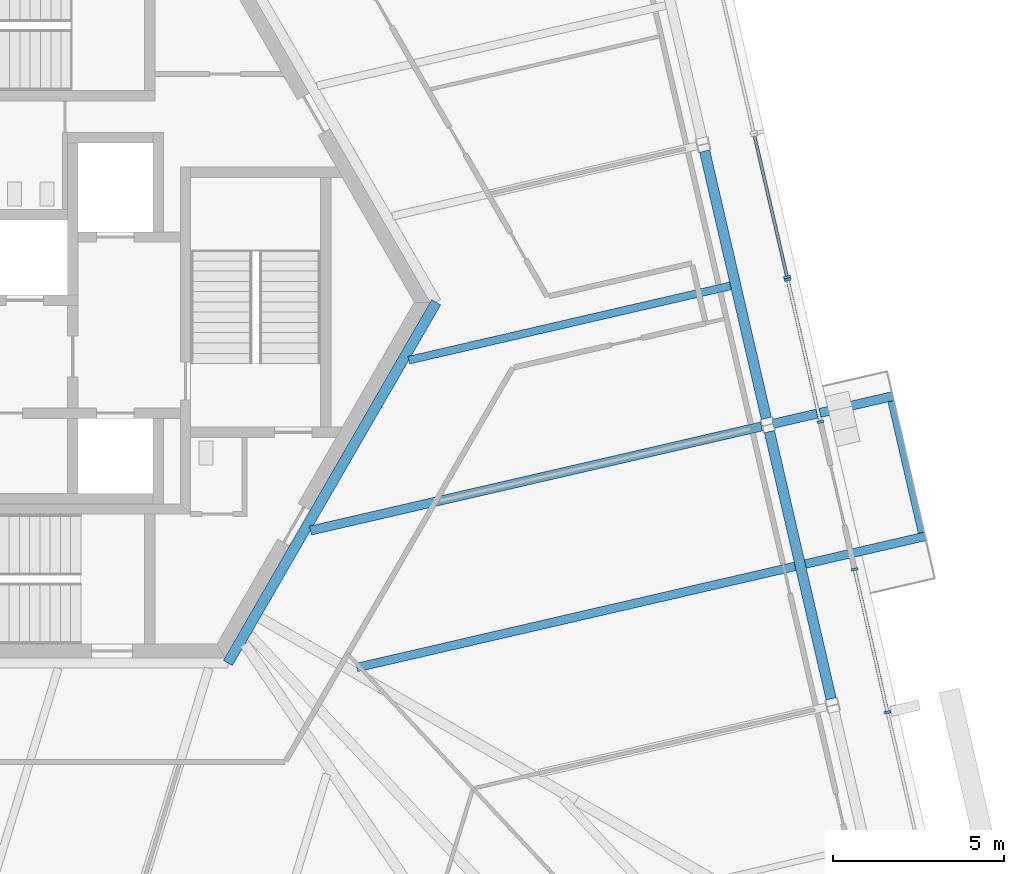
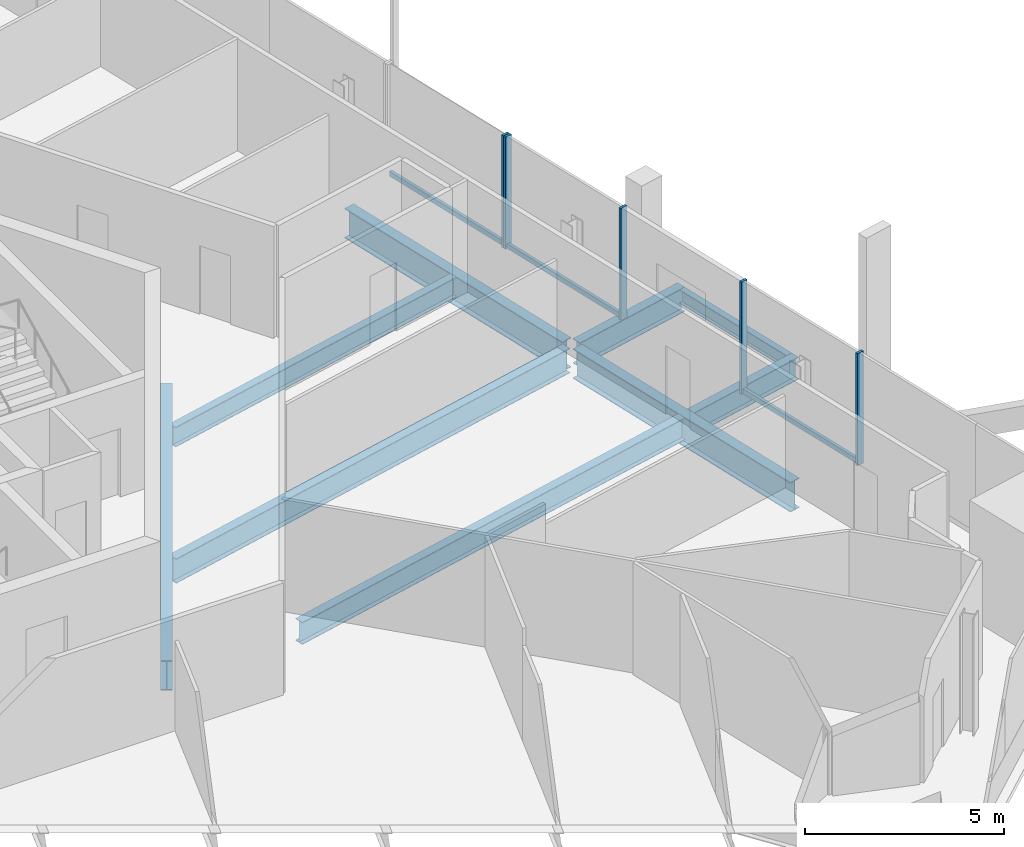
# One storey, part 7 of 24: 9 beams, 8 members, 3 elements without a shape of their own.
"""IFC4 building model written with IfcOpenShell, lengths in metres."""

from ifc_helpers import new_model, si_unit, direction, frame, origin, origin_2d, place, context, subcontext, project, spatial, rectangle, i_section, extrude, source, transform, mapped, material, material_profile, profile_set, type_object, element, aggregate, save


model = new_model("IFC4")

# Units and contexts
model_context = context("Model", 3, precision=1e-05, world=origin(), true_north=direction((0.0, 1.0)))
body_context = subcontext(model_context, "Body", "Model", "MODEL_VIEW")
ifc_project = project(units=[si_unit("LENGTHUNIT", "METRE"), si_unit("AREAUNIT", "SQUARE_METRE"), si_unit("VOLUMEUNIT", "CUBIC_METRE"), si_unit("PLANEANGLEUNIT", "RADIAN"), si_unit("MASSUNIT", "GRAM", prefix="KILO")], contexts=[model_context])

# Site, building, storey
site_placement = place(None, origin())
site = spatial("IfcSite", under=ifc_project, at=site_placement, CompositionType="ELEMENT")
building_placement = place(site_placement, origin())
building = spatial("IfcBuilding", under=site, at=building_placement, Name="Triune Harvest Tower", CompositionType="ELEMENT")
storey_placement = place(building_placement, frame((0.0, 0.0, 127.10009765625)))
storey = spatial("IfcBuildingStorey", under=building, at=storey_placement, Name="L32", CompositionType="ELEMENT", Elevation=127.10009765625)

# Beam
ifc_material_1 = material(Name="Steel ASTM A992 Gr 50", Category="steel")
ifc_material_profile_1 = material_profile(ifc_material_1, i_section(OverallWidth=0.180908203125, OverallDepth=0.41650390625, WebThickness=0.010986328125, FlangeThickness=0.01806640625, at=origin_2d()), Name="W16x57")
ifc_profile_set_1 = profile_set([ifc_material_profile_1], Name="Steel ASTM A992 Gr 50")
beam_type_1 = type_object("IfcBeamType", Name="BE-1 balcony edge beam W16x57", PredefinedType="BEAM", material=ifc_profile_set_1)
beam_1_placement = place(storey_placement, frame((25.468505859375, -2.892822265625, -0.368408203125), z_axis=(0.224972445605, -0.974365125976, 0.0), x_axis=(0.974365125976, 0.224972445605, 0.0)))
element("IfcBeam", 1, at=beam_1_placement, inside=storey, type_object=beam_type_1, Name="Balcony edge beam B3-F1 L32.4", PredefinedType="BEAM", context=body_context, shape_type="SweptSolid", body=[
    extrude(i_section(OverallWidth=0.180908203125, OverallDepth=0.41650390625, WebThickness=0.010986328125, FlangeThickness=0.01806640625, at=origin_2d()), origin(), (0.0, 0.0, 1.0), 3.94677734375),
])

# Curtain wall, member
ifc_material_2 = material(Name="Aluminium bronze anodised", Category="aluminium")
curtain_wall_type_1 = type_object("IfcCurtainWallType", Name="CW-10 Balcony window wall with insulated spandrel infill", PredefinedType="NOTDEFINED", material=ifc_material_2)
curtain_wall_1_placement = place(storey_placement, origin())
curtain_wall_1 = element("IfcCurtainWall", 2, at=curtain_wall_1_placement, inside=storey, type_object=curtain_wall_type_1, Name="CW-10 B3-F1 L32 run 2")
ifc_material_3 = material(Name="Aluminium bronze anodised", Category="aluminium")
ifc_material_profile_2 = material_profile(ifc_material_3, rectangle(XDim=0.090087890625, YDim=0.14990234375, at=origin_2d()), Name="TR-6 transom 90 x 150")
ifc_profile_set_2 = profile_set([ifc_material_profile_2], Name="Aluminium bronze anodised")
member_type_1 = type_object("IfcMemberType", Name="TR-6 transom 90 x 150", PredefinedType="USERDEFINED", material=ifc_profile_set_2)
member_1_placement = place(storey_placement, frame((23.4013671875, -3.4560546875, 0.074951171875), z_axis=(-0.224927563298, 0.974375487822, 0.0), x_axis=(-0.974375487822, -0.224927563298, 0.0)))
member_1 = element("IfcMember", 3, at=member_1_placement, type_object=member_type_1, Name="CW-10 transom B3-F1 2.1", ObjectType="TRANSOM", PredefinedType="USERDEFINED", context=body_context, shape_type="SweptSolid", body=[
    extrude(rectangle(XDim=0.090087890625, YDim=0.14990234375, at=origin_2d()), origin(), (0.0, 0.0, 1.0), 4.19189453125),
])

# Beams
ifc_material_4 = material(Name="Steel ASTM A992 Gr 50", Category="steel")
ifc_material_profile_3 = material_profile(ifc_material_4, i_section(OverallWidth=0.3046875, OverallDepth=0.914306640625, WebThickness=0.0166015625, FlangeThickness=0.02587890625, at=origin_2d()), Name="W36x160")
ifc_profile_set_3 = profile_set([ifc_material_profile_3], Name="Steel ASTM A992 Gr 50")
beam_type_2 = type_object("IfcBeamType", Name="CG-1 Core ring girder W36x160", PredefinedType="BEAM", material=ifc_profile_set_3)
shared_shape_1 = source(origin(), body_context, "Body", "SweptSolid", [
    extrude(i_section(OverallWidth=0.3046875, OverallDepth=0.914306640625, WebThickness=0.0166015625, FlangeThickness=0.02587890625, at=origin_2d()), origin(), (0.0, 0.0, 1.0), 12.176025390625),
])
beam_2_placement = place(storey_placement, frame((6.087890625, -10.544677734375, -0.6171875), z_axis=(0.5000099932, 0.866019634131, 0.0), x_axis=(-0.866019634131, 0.5000099932, 0.0)))
element("IfcBeam", 4, at=beam_2_placement, inside=storey, type_object=beam_type_2, Name="beam/L32/CG6", PredefinedType="BEAM", context=body_context, shape_type="MappedRepresentation", body=[
    mapped(shared_shape_1, transform((0.0, 0.0, 0.0), scale=1.0)),
])
ifc_material_5 = material(Name="Steel ASTM A992 Gr 50", Category="steel")
ifc_material_profile_4 = material_profile(ifc_material_5, i_section(OverallWidth=0.3046875, OverallDepth=0.914306640625, WebThickness=0.0166015625, FlangeThickness=0.02587890625, at=origin_2d()), Name="W36x160")
ifc_profile_set_4 = profile_set([ifc_material_profile_4], Name="Steel ASTM A992 Gr 50")
beam_type_3 = type_object("IfcBeamType", Name="SB-1 Spandrel beam W36x160", PredefinedType="SPANDREL", material=ifc_profile_set_4)
shared_shape_2 = source(origin(), body_context, "Body", "SweptSolid", [
    extrude(i_section(OverallWidth=0.3046875, OverallDepth=0.914306640625, WebThickness=0.0166015625, FlangeThickness=0.02587890625, at=origin_2d()), origin(), (0.0, 0.0, 1.0), 8.018310546875),
])
beam_3_placement = place(storey_placement, frame((23.72119140625, -11.591796875, -0.6171875), z_axis=(-0.224950679005, 0.974370151439, 0.0), x_axis=(-0.974370151439, -0.224950679005, 0.0)))
element("IfcBeam", 5, at=beam_3_placement, inside=storey, type_object=beam_type_3, Name="beam/L32/SB2", PredefinedType="SPANDREL", context=body_context, shape_type="MappedRepresentation", body=[
    mapped(shared_shape_2, transform((0.0, 0.0, 0.0), scale=1.0)),
])
shared_shape_3 = source(origin(), body_context, "Body", "SweptSolid", [
    extrude(i_section(OverallWidth=0.3046875, OverallDepth=0.914306640625, WebThickness=0.0166015625, FlangeThickness=0.02587890625, at=origin_2d()), origin(), (0.0, 0.0, 1.0), 8.0185546875),
])
beam_4_placement = place(storey_placement, frame((21.828369140625, -3.39306640625, -0.6171875), z_axis=(-0.22494400542, 0.974371692131, 0.0), x_axis=(-0.974371692131, -0.22494400542, 0.0)))
element("IfcBeam", 6, at=beam_4_placement, inside=storey, type_object=beam_type_3, Name="beam/L32/SB3", PredefinedType="SPANDREL", context=body_context, shape_type="MappedRepresentation", body=[
    mapped(shared_shape_3, transform((0.0, 0.0, 0.0), scale=1.0)),
])
ifc_material_6 = material(Name="Steel ASTM A992 Gr 50", Category="steel")
ifc_material_profile_5 = material_profile(ifc_material_6, i_section(OverallWidth=0.253662109375, OverallDepth=0.683349609375, WebThickness=0.012451171875, FlangeThickness=0.01904296875, at=origin_2d()), Name="W27x94")
ifc_profile_set_5 = profile_set([ifc_material_profile_5], Name="Steel ASTM A992 Gr 50")
beam_type_4 = type_object("IfcBeamType", Name="JT-4 Floor joist W27x94", PredefinedType="JOIST", material=ifc_profile_set_5)
shared_shape_4 = source(origin(), body_context, "Body", "SweptSolid", [
    extrude(i_section(OverallWidth=0.253662109375, OverallDepth=0.683349609375, WebThickness=0.012451171875, FlangeThickness=0.01904296875, at=origin_2d()), origin(), (0.0, 0.0, 1.0), 13.1572265625),
])
beam_5_placement = place(storey_placement, frame((22.6708984375, -7.7197265625, -0.501708984375), z_axis=(-0.974370551145, -0.224948947678, 0.0), x_axis=(0.224948947678, -0.974370551145, 0.0)))
element("IfcBeam", 7, at=beam_5_placement, inside=storey, type_object=beam_type_4, Name="beam/L32/JT3", PredefinedType="JOIST", context=body_context, shape_type="MappedRepresentation", body=[
    mapped(shared_shape_4, transform((0.0, 0.0, 0.0), scale=1.0)),
])
ifc_material_7 = material(Name="Steel ASTM A992 Gr 50", Category="steel")
ifc_material_profile_6 = material_profile(ifc_material_7, i_section(OverallWidth=0.2666015625, OverallDepth=0.7568359375, WebThickness=0.013916015625, FlangeThickness=0.019287109375, at=origin_2d()), Name="W30x108")
ifc_profile_set_6 = profile_set([ifc_material_profile_6], Name="Steel ASTM A992 Gr 50")
beam_type_5 = type_object("IfcBeamType", Name="JT-5 Floor joist W30x108", PredefinedType="JOIST", material=ifc_profile_set_6)
shared_shape_5 = source(origin(), body_context, "Body", "SweptSolid", [
    extrude(i_section(OverallWidth=0.2666015625, OverallDepth=0.7568359375, WebThickness=0.013916015625, FlangeThickness=0.019287109375, at=origin_2d()), origin(), (0.0, 0.0, 1.0), 13.535400390625),
])
beam_6_placement = place(storey_placement, frame((21.687255859375, -3.62890625, -0.53857421875), z_axis=(-0.974372040253, -0.224942497482, 0.0), x_axis=(0.224942497482, -0.974372040253, 0.0)))
element("IfcBeam", 8, at=beam_6_placement, inside=storey, type_object=beam_type_5, Name="beam/L32/JT4", PredefinedType="JOIST", context=body_context, shape_type="MappedRepresentation", body=[
    mapped(shared_shape_5, transform((0.0, 0.0, 0.0), scale=1.0)),
])
ifc_material_8 = material(Name="Steel ASTM A992 Gr 50", Category="steel")
ifc_material_profile_7 = material_profile(ifc_material_8, i_section(OverallWidth=0.22900390625, OverallDepth=0.612060546875, WebThickness=0.011962890625, FlangeThickness=0.01953125, at=origin_2d()), Name="W24x84")
ifc_profile_set_7 = profile_set([ifc_material_profile_7], Name="Steel ASTM A992 Gr 50")
beam_type_6 = type_object("IfcBeamType", Name="JT-3 Floor joist W24x84", PredefinedType="JOIST", material=ifc_profile_set_7)
shared_shape_6 = source(origin(), body_context, "Body", "SweptSolid", [
    extrude(i_section(OverallWidth=0.22900390625, OverallDepth=0.612060546875, WebThickness=0.011962890625, FlangeThickness=0.01953125, at=origin_2d()), origin(), (0.0, 0.0, 1.0), 9.650146484375),
])
beam_7_placement = place(storey_placement, frame((20.778076171875, 0.47900390625, -0.46630859375), z_axis=(-0.974373710713, -0.224935261514, 0.0), x_axis=(0.224935261514, -0.974373710713, 0.0)))
element("IfcBeam", 9, at=beam_7_placement, inside=storey, type_object=beam_type_6, Name="beam/L32/JT5", PredefinedType="JOIST", context=body_context, shape_type="MappedRepresentation", body=[
    mapped(shared_shape_6, transform((0.0, 0.0, 0.0), scale=1.0)),
])

# Curtain wall, members
curtain_wall_2_placement = place(storey_placement, origin())
curtain_wall_2 = element("IfcCurtainWall", 10, at=curtain_wall_2_placement, inside=storey, type_object=curtain_wall_type_1, Name="CW-10 B3-F1 L32 run 1")
ifc_material_9 = material(Name="Aluminium bronze anodised", Category="aluminium")
ifc_material_profile_8 = material_profile(ifc_material_9, rectangle(XDim=0.199951171875, YDim=0.074951171875, at=origin_2d()), Name="MU-6 mullion 75 x 200")
ifc_profile_set_8 = profile_set([ifc_material_profile_8], Name="Aluminium bronze anodised")
member_type_2 = type_object("IfcMemberType", Name="MU-6 mullion 75 x 200", PredefinedType="MULLION", material=ifc_profile_set_8)
shared_shape_7 = source(origin(), body_context, "Body", "SweptSolid", [
    extrude(rectangle(XDim=0.199951171875, YDim=0.074951171875, at=origin_2d()), origin(), (0.0, 0.0, 1.0), 3.43994140625),
])
member_2_placement = place(storey_placement, frame((25.3701171875, -11.9833984375, 0.0), z_axis=(0.0, 0.0, 1.0), x_axis=(-0.974370027263, -0.22495121687, 0.0)))
member_2 = element("IfcMember", 11, at=member_2_placement, type_object=member_type_2, Name="CW-10 mullion B3-F1 1.3", PredefinedType="MULLION", context=body_context, shape_type="MappedRepresentation", body=[
    mapped(shared_shape_7, transform((0.0, 0.0, 0.0), scale=1.0)),
])
member_3_placement = place(storey_placement, frame((24.406005859375, -7.8076171875, 0.0), z_axis=(0.0, 0.0, 1.0), x_axis=(-0.974370027263, -0.22495121687, 0.0)))
member_3 = element("IfcMember", 12, at=member_3_placement, type_object=member_type_2, Name="CW-10 mullion B3-F1 1.4", PredefinedType="MULLION", context=body_context, shape_type="MappedRepresentation", body=[
    mapped(shared_shape_7, transform((0.0, 0.0, 0.0), scale=1.0)),
])

# Member
member_4_placement = place(storey_placement, frame((23.409912109375, -3.49267578125, 0.0), z_axis=(0.0, 0.0, 1.0), x_axis=(-0.974371266668, -0.224945848355, 0.0)))
member_4 = element("IfcMember", 13, at=member_4_placement, type_object=member_type_2, Name="CW-10 mullion B3-F1 2.1", PredefinedType="MULLION", context=body_context, shape_type="MappedRepresentation", body=[
    mapped(shared_shape_7, transform((0.0, 0.0, 0.0), scale=1.0)),
])

member_5_placement = place(storey_placement, frame((22.449951171875, 0.6650390625, 0.0), z_axis=(0.0, 0.0, 1.0), x_axis=(-0.974371266668, -0.224945848355, 0.0)))
member_5 = element("IfcMember", 14, at=member_5_placement, type_object=member_type_2, Name="CW-10 mullion B3-F1 2.2", PredefinedType="MULLION", context=body_context, shape_type="MappedRepresentation", body=[
    mapped(shared_shape_7, transform((0.0, 0.0, 0.0), scale=1.0)),
])

aggregate(curtain_wall_1, [member_4, member_5, member_1])

# Curtain wall, member
ifc_material_10 = material(Name="Aluminium bronze anodised", Category="aluminium")
curtain_wall_type_2 = type_object("IfcCurtainWallType", Name="CW-6 Balcony window wall", PredefinedType="NOTDEFINED", material=ifc_material_10)
curtain_wall_3_placement = place(storey_placement, origin())
curtain_wall_3 = element("IfcCurtainWall", 15, at=curtain_wall_3_placement, inside=storey, type_object=curtain_wall_type_2, Name="CW-6 B3-F1 L32 run 1002")
member_6_placement = place(storey_placement, frame((22.43310546875, 0.738037109375, 0.0), z_axis=(0.0, 0.0, 1.0), x_axis=(-0.974367901353, -0.224960424995, 0.0)))
member_6 = element("IfcMember", 16, at=member_6_placement, type_object=member_type_2, Name="CW-6 mullion B3-F1 1002.1", PredefinedType="MULLION", context=body_context, shape_type="MappedRepresentation", body=[
    mapped(shared_shape_7, transform((0.0, 0.0, 0.0), scale=1.0)),
])

# Beams
ifc_material_11 = material(Name="Steel ASTM A992 Gr 50", Category="steel")
ifc_material_profile_9 = material_profile(ifc_material_11, i_section(OverallWidth=0.253662109375, OverallDepth=0.683349609375, WebThickness=0.012451171875, FlangeThickness=0.01904296875, at=origin_2d()), Name="W27x94")
ifc_profile_set_9 = profile_set([ifc_material_profile_9], Name="Steel ASTM A992 Gr 50")
beam_type_7 = type_object("IfcBeamType", Name="BJ-4 Balcony cantilever joist W27x94", PredefinedType="JOIST", material=ifc_profile_set_9)
shared_shape_8 = source(origin(), body_context, "Body", "SweptSolid", [
    extrude(i_section(OverallWidth=0.253662109375, OverallDepth=0.683349609375, WebThickness=0.012451171875, FlangeThickness=0.01904296875, at=origin_2d()), origin(), (0.0, 0.0, 1.0), 3.59765625),
])
beam_8_placement = place(storey_placement, frame((22.9677734375, -7.651123046875, -0.501708984375), z_axis=(0.97436717145, 0.224963586388, 0.0), x_axis=(-0.224963586388, 0.97436717145, 0.0)))
element("IfcBeam", 17, at=beam_8_placement, inside=storey, type_object=beam_type_7, Name="Balcony cantilever joist B3-F1 L32.4a", PredefinedType="JOIST", context=body_context, shape_type="MappedRepresentation", body=[
    mapped(shared_shape_8, transform((0.0, 0.0, 0.0), scale=1.0)),
])
ifc_material_12 = material(Name="Steel ASTM A992 Gr 50", Category="steel")
ifc_material_profile_10 = material_profile(ifc_material_12, i_section(OverallWidth=0.2666015625, OverallDepth=0.7568359375, WebThickness=0.013916015625, FlangeThickness=0.019287109375, at=origin_2d()), Name="W30x108")
ifc_profile_set_10 = profile_set([ifc_material_profile_10], Name="Steel ASTM A992 Gr 50")
beam_type_8 = type_object("IfcBeamType", Name="BJ-5 Balcony cantilever joist W30x108", PredefinedType="JOIST", material=ifc_profile_set_10)
shared_shape_9 = source(origin(), body_context, "Body", "SweptSolid", [
    extrude(i_section(OverallWidth=0.2666015625, OverallDepth=0.7568359375, WebThickness=0.013916015625, FlangeThickness=0.019287109375, at=origin_2d()), origin(), (0.0, 0.0, 1.0), 3.597412109375),
])
beam_9_placement = place(storey_placement, frame((22.021484375, -3.5517578125, -0.53857421875), z_axis=(0.974363736691, 0.224978462571, 0.0), x_axis=(-0.224978462571, 0.974363736691, 0.0)))
element("IfcBeam", 18, at=beam_9_placement, inside=storey, type_object=beam_type_8, Name="Balcony cantilever joist B3-F1 L32.4b", PredefinedType="JOIST", context=body_context, shape_type="MappedRepresentation", body=[
    mapped(shared_shape_9, transform((0.0, 0.0, 0.0), scale=1.0)),
])

# Member
shared_shape_10 = source(origin(), body_context, "Body", "SweptSolid", [
    extrude(rectangle(XDim=0.090087890625, YDim=0.14990234375, at=origin_2d()), origin(), (0.0, 0.0, 1.0), 4.2109375),
])
member_7_placement = place(storey_placement, frame((25.36181640625, -11.947021484375, 0.074951171875), z_axis=(-0.224952660514, 0.97436969397, 0.0), x_axis=(-0.97436969397, -0.224952660514, 0.0)))
member_7 = element("IfcMember", 19, at=member_7_placement, type_object=member_type_1, Name="CW-10 transom B3-F1 1.2", ObjectType="TRANSOM", PredefinedType="USERDEFINED", context=body_context, shape_type="MappedRepresentation", body=[
    mapped(shared_shape_10, transform((0.0, 0.0, 0.0), scale=1.0)),
])

aggregate(curtain_wall_2, [member_2, member_3, member_7])

shared_shape_11 = source(origin(), body_context, "Body", "SweptSolid", [
    extrude(rectangle(XDim=0.090087890625, YDim=0.14990234375, at=origin_2d()), origin(), (0.0, 0.0, 1.0), 4.192138671875),
])
member_8_placement = place(storey_placement, frame((22.4248046875, 0.774658203125, 0.074951171875), z_axis=(-0.224970090391, 0.974365669772, 0.0), x_axis=(-0.974365669772, -0.224970090391, 0.0)))
member_8 = element("IfcMember", 20, at=member_8_placement, type_object=member_type_1, Name="CW-6 transom B3-F1 1002.1", ObjectType="TRANSOM", PredefinedType="USERDEFINED", context=body_context, shape_type="MappedRepresentation", body=[
    mapped(shared_shape_11, transform((0.0, 0.0, 0.0), scale=1.0)),
])

aggregate(curtain_wall_3, [member_6, member_8])

save(model, "model.ifc")
